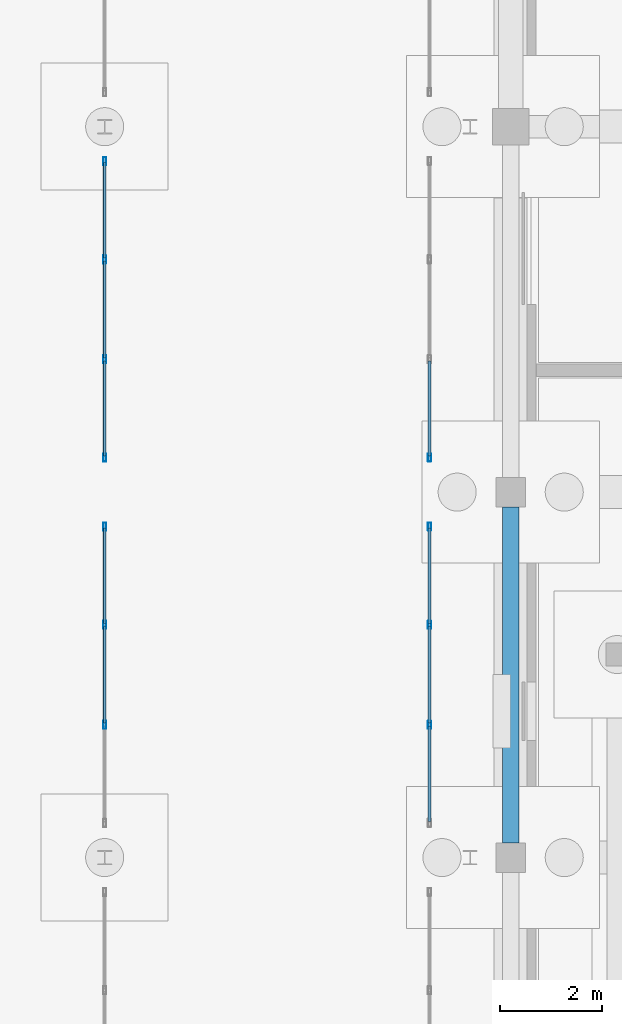
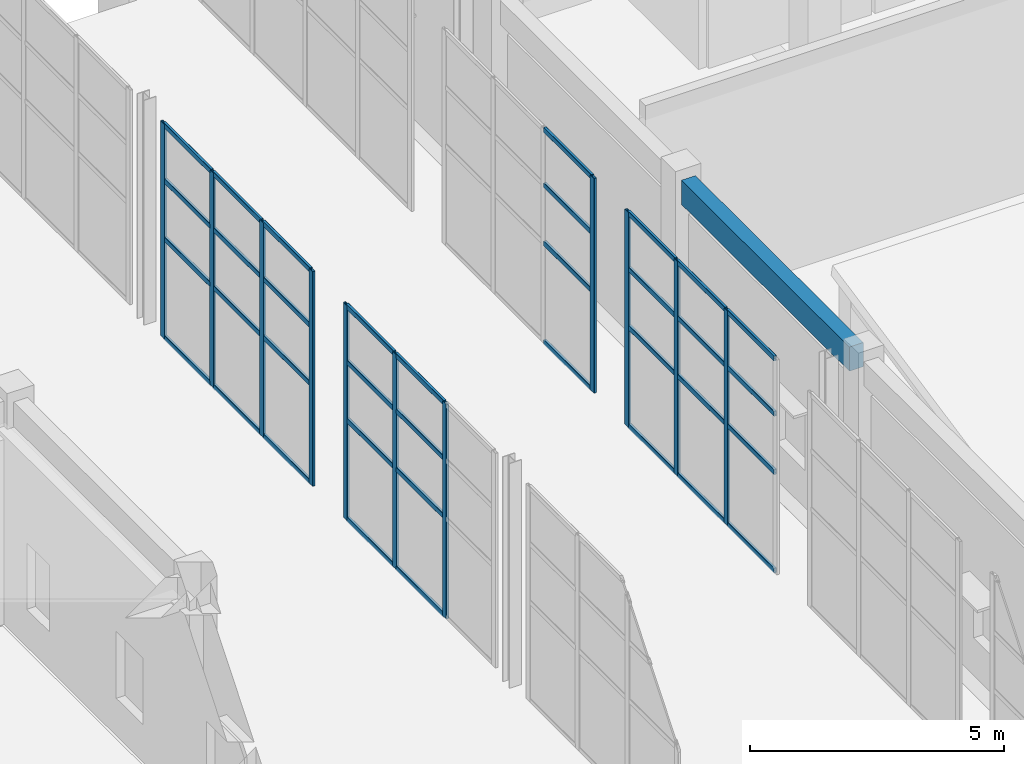
# One storey, part 27 of 91: 47 members, 1 beam, 4 elements without a shape of their own.
"""IFC4 building model written with IfcOpenShell, lengths in metres."""

from ifc_helpers import new_model, si_unit, direction, frame, origin, origin_2d, place, context, subcontext, project, spatial, rectangle, hollow_rectangle, extrude, material, material_profile, profile_set, type_object, element, aggregate, save


model = new_model("IFC4")

# Units and contexts
model_context = context("Model", 3, precision=1e-05, world=origin(), true_north=direction((0.0, 1.0)))
body_context = subcontext(model_context, "Body", "Model", "MODEL_VIEW")
ifc_project = project(units=[si_unit("LENGTHUNIT", "METRE"), si_unit("AREAUNIT", "SQUARE_METRE"), si_unit("VOLUMEUNIT", "CUBIC_METRE"), si_unit("PLANEANGLEUNIT", "RADIAN"), si_unit("MASSUNIT", "GRAM", prefix="KILO")], contexts=[model_context])

# Site, building, storey
site_placement = place(None, origin())
site = spatial("IfcSite", under=ifc_project, at=site_placement, CompositionType="ELEMENT")
building_placement = place(site_placement, origin())
building = spatial("IfcBuilding", under=site, at=building_placement, Name="Bramveld Media Centre", CompositionType="ELEMENT")
storey_placement = place(building_placement, origin())
storey = spatial("IfcBuildingStorey", under=building, at=storey_placement, Name="L00", CompositionType="ELEMENT", Elevation=0.0)

# Curtain wall, members
ifc_material_1 = material(Name="Thermally broken anodized bronze aluminium unitized curtain wall with solar-control triple glazing", Category="aluminium")
curtain_wall_type = type_object("IfcCurtainWallType", Name="CW-GAL-5900x5160", PredefinedType="NOTDEFINED", material=ifc_material_1)
curtain_wall_1_placement = place(storey_placement, origin())
curtain_wall_1 = element("IfcCurtainWall", 1, at=curtain_wall_1_placement, inside=storey, type_object=curtain_wall_type, Name="PASS-M colonnade glazed screen 3", PredefinedType="NOTDEFINED")
ifc_material_2 = material(Name="Thermally broken anodized bronze aluminium EN AW-6063 T6 curtain-wall framing", Category="aluminium")
ifc_material_profile_1 = material_profile(ifc_material_2, hollow_rectangle(XDim=0.06005859375, YDim=0.159912109375, WallThickness=0.00390625, InnerFilletRadius=0.00390625, OuterFilletRadius=0.008056640625, at=origin_2d()), Name="AL-MULL 60x160")
ifc_profile_set_1 = profile_set([ifc_material_profile_1], Name="Thermally broken anodized bronze aluminium EN AW-6063 T6 curtain-wall framing")
member_type_1 = type_object("IfcMemberType", Name="CW-MULL-EXT", PredefinedType="MULLION", material=ifc_profile_set_1)
member_1_placement = place(storey_placement, frame((116.0, 17.0166015625, 0.0), z_axis=(0.0, 0.0, 1.0), x_axis=(-1.0, 0.0, 0.0)))
member_1 = element("IfcMember", 2, at=member_1_placement, type_object=member_type_1, Name="CW-GA-5951 mullion 2", PredefinedType="MULLION", context=body_context, shape_type="SweptSolid", body=[
    extrude(hollow_rectangle(XDim=0.06005859375, YDim=0.159912109375, WallThickness=0.00390625, InnerFilletRadius=0.00390625, OuterFilletRadius=0.008056640625, at=origin_2d()), origin(), (0.0, 0.0, 1.0), 5.159912109375),
])
member_2_placement = place(storey_placement, frame((116.0, 18.9833984375, 0.0), z_axis=(0.0, 0.0, 1.0), x_axis=(-1.0, 0.0, 0.0)))
member_2 = element("IfcMember", 3, at=member_2_placement, type_object=member_type_1, Name="CW-GA-5951 mullion 3", PredefinedType="MULLION", context=body_context, shape_type="SweptSolid", body=[
    extrude(hollow_rectangle(XDim=0.06005859375, YDim=0.159912109375, WallThickness=0.00390625, InnerFilletRadius=0.00390625, OuterFilletRadius=0.008056640625, at=origin_2d()), origin(), (0.0, 0.0, 1.0), 5.159912109375),
])
member_3_placement = place(storey_placement, frame((116.0, 20.919921875, 0.0), z_axis=(0.0, 0.0, 1.0), x_axis=(-1.0, 0.0, 0.0)))
member_3 = element("IfcMember", 4, at=member_3_placement, type_object=member_type_1, Name="CW-GA-5951 mullion 4", PredefinedType="MULLION", context=body_context, shape_type="SweptSolid", body=[
    extrude(hollow_rectangle(XDim=0.06005859375, YDim=0.159912109375, WallThickness=0.00390625, InnerFilletRadius=0.00390625, OuterFilletRadius=0.008056640625, at=origin_2d()), origin(), (0.0, 0.0, 1.0), 5.159912109375),
])

curtain_wall_2_placement = place(storey_placement, origin())
curtain_wall_2 = element("IfcCurtainWall", 5, at=curtain_wall_2_placement, inside=storey, type_object=curtain_wall_type, Name="PASS-M colonnade glazed screen 4", PredefinedType="NOTDEFINED")
member_4_placement = place(storey_placement, frame((116.0, 22.280029296875, 0.0), z_axis=(0.0, 0.0, 1.0), x_axis=(-1.0, 0.0, 0.0)))
member_4 = element("IfcMember", 6, at=member_4_placement, type_object=member_type_1, Name="CW-GA-5951 mullion 1", PredefinedType="MULLION", context=body_context, shape_type="SweptSolid", body=[
    extrude(hollow_rectangle(XDim=0.06005859375, YDim=0.159912109375, WallThickness=0.00390625, InnerFilletRadius=0.00390625, OuterFilletRadius=0.008056640625, at=origin_2d()), origin(), (0.0, 0.0, 1.0), 5.159912109375),
])
member_5_placement = place(storey_placement, frame((116.0, 24.216552734375, 0.0), z_axis=(0.0, 0.0, 1.0), x_axis=(-1.0, 0.0, 0.0)))
member_5 = element("IfcMember", 7, at=member_5_placement, type_object=member_type_1, Name="CW-GA-5951 mullion 2", PredefinedType="MULLION", context=body_context, shape_type="SweptSolid", body=[
    extrude(hollow_rectangle(XDim=0.06005859375, YDim=0.159912109375, WallThickness=0.00390625, InnerFilletRadius=0.00390625, OuterFilletRadius=0.008056640625, at=origin_2d()), origin(), (0.0, 0.0, 1.0), 5.159912109375),
])
member_6_placement = place(storey_placement, frame((116.0, 26.183349609375, 0.0), z_axis=(0.0, 0.0, 1.0), x_axis=(-1.0, 0.0, 0.0)))
member_6 = element("IfcMember", 8, at=member_6_placement, type_object=member_type_1, Name="CW-GA-5951 mullion 3", PredefinedType="MULLION", context=body_context, shape_type="SweptSolid", body=[
    extrude(hollow_rectangle(XDim=0.06005859375, YDim=0.159912109375, WallThickness=0.00390625, InnerFilletRadius=0.00390625, OuterFilletRadius=0.008056640625, at=origin_2d()), origin(), (0.0, 0.0, 1.0), 5.159912109375),
])
member_7_placement = place(storey_placement, frame((116.0, 28.1201171875, 0.0), z_axis=(0.0, 0.0, 1.0), x_axis=(-1.0, 0.0, 0.0)))
member_7 = element("IfcMember", 9, at=member_7_placement, type_object=member_type_1, Name="CW-GA-5951 mullion 4", PredefinedType="MULLION", context=body_context, shape_type="SweptSolid", body=[
    extrude(hollow_rectangle(XDim=0.06005859375, YDim=0.159912109375, WallThickness=0.00390625, InnerFilletRadius=0.00390625, OuterFilletRadius=0.008056640625, at=origin_2d()), origin(), (0.0, 0.0, 1.0), 5.159912109375),
])

curtain_wall_3_placement = place(storey_placement, origin())
curtain_wall_3 = element("IfcCurtainWall", 10, at=curtain_wall_3_placement, inside=storey, type_object=curtain_wall_type, Name="PASS-E colonnade glazed screen 3", PredefinedType="NOTDEFINED")
member_8_placement = place(storey_placement, frame((122.39990234375, 17.0166015625, 0.0), z_axis=(0.0, 0.0, 1.0), x_axis=(-1.0, 0.0, 0.0)))
member_8 = element("IfcMember", 11, at=member_8_placement, type_object=member_type_1, Name="CW-GA-5951 mullion 2", PredefinedType="MULLION", context=body_context, shape_type="SweptSolid", body=[
    extrude(hollow_rectangle(XDim=0.06005859375, YDim=0.159912109375, WallThickness=0.00390625, InnerFilletRadius=0.00390625, OuterFilletRadius=0.008056640625, at=origin_2d()), origin(), (0.0, 0.0, 1.0), 5.159912109375),
])
member_9_placement = place(storey_placement, frame((122.39990234375, 18.9833984375, 0.0), z_axis=(0.0, 0.0, 1.0), x_axis=(-1.0, 0.0, 0.0)))
member_9 = element("IfcMember", 12, at=member_9_placement, type_object=member_type_1, Name="CW-GA-5951 mullion 3", PredefinedType="MULLION", context=body_context, shape_type="SweptSolid", body=[
    extrude(hollow_rectangle(XDim=0.06005859375, YDim=0.159912109375, WallThickness=0.00390625, InnerFilletRadius=0.00390625, OuterFilletRadius=0.008056640625, at=origin_2d()), origin(), (0.0, 0.0, 1.0), 5.159912109375),
])
member_10_placement = place(storey_placement, frame((122.39990234375, 20.919921875, 0.0), z_axis=(0.0, 0.0, 1.0), x_axis=(-1.0, 0.0, 0.0)))
member_10 = element("IfcMember", 13, at=member_10_placement, type_object=member_type_1, Name="CW-GA-5951 mullion 4", PredefinedType="MULLION", context=body_context, shape_type="SweptSolid", body=[
    extrude(hollow_rectangle(XDim=0.06005859375, YDim=0.159912109375, WallThickness=0.00390625, InnerFilletRadius=0.00390625, OuterFilletRadius=0.008056640625, at=origin_2d()), origin(), (0.0, 0.0, 1.0), 5.159912109375),
])

# Curtain wall, member
curtain_wall_4_placement = place(storey_placement, origin())
curtain_wall_4 = element("IfcCurtainWall", 14, at=curtain_wall_4_placement, inside=storey, type_object=curtain_wall_type, Name="PASS-E colonnade glazed screen 4", PredefinedType="NOTDEFINED")
member_11_placement = place(storey_placement, frame((122.39990234375, 22.280029296875, 0.0), z_axis=(0.0, 0.0, 1.0), x_axis=(-1.0, 0.0, 0.0)))
member_11 = element("IfcMember", 15, at=member_11_placement, type_object=member_type_1, Name="CW-GA-5951 mullion 1", PredefinedType="MULLION", context=body_context, shape_type="SweptSolid", body=[
    extrude(hollow_rectangle(XDim=0.06005859375, YDim=0.159912109375, WallThickness=0.00390625, InnerFilletRadius=0.00390625, OuterFilletRadius=0.008056640625, at=origin_2d()), origin(), (0.0, 0.0, 1.0), 5.159912109375),
])

# Member
ifc_material_3 = material(Name="Thermally broken anodized bronze aluminium EN AW-6063 T6 curtain-wall framing", Category="aluminium")
ifc_material_profile_2 = material_profile(ifc_material_3, hollow_rectangle(XDim=0.06005859375, YDim=0.1201171875, WallThickness=0.00341796875, InnerFilletRadius=0.00341796875, OuterFilletRadius=0.007080078125, at=origin_2d()), Name="AL-TRAN 60x120")
ifc_profile_set_2 = profile_set([ifc_material_profile_2], Name="Thermally broken anodized bronze aluminium EN AW-6063 T6 curtain-wall framing")
member_type_2 = type_object("IfcMemberType", Name="CW-TRAN-EXT", PredefinedType="USERDEFINED", material=ifc_profile_set_2)
member_12_placement = place(storey_placement, frame((116.0, 17.046630859375, 0.030029296875), z_axis=(0.0, 1.0, 0.0), x_axis=(-1.0, 0.0, 0.0)))
member_12 = element("IfcMember", 16, at=member_12_placement, type_object=member_type_2, Name="CW-GA-5951 transom 2.1", ObjectType="TRANSOM", PredefinedType="USERDEFINED", context=body_context, shape_type="SweptSolid", body=[
    extrude(hollow_rectangle(XDim=0.06005859375, YDim=0.1201171875, WallThickness=0.00341796875, InnerFilletRadius=0.00341796875, OuterFilletRadius=0.007080078125, at=origin_2d()), origin(), (0.0, 0.0, 1.0), 1.90673828125),
])

member_13_placement = place(storey_placement, frame((116.0, 17.046630859375, 2.39990234375), z_axis=(0.0, 1.0, 0.0), x_axis=(-1.0, 0.0, 0.0)))
member_13 = element("IfcMember", 17, at=member_13_placement, type_object=member_type_2, Name="CW-GA-5951 transom 2.2", ObjectType="TRANSOM", PredefinedType="USERDEFINED", context=body_context, shape_type="SweptSolid", body=[
    extrude(hollow_rectangle(XDim=0.06005859375, YDim=0.1201171875, WallThickness=0.00341796875, InnerFilletRadius=0.00341796875, OuterFilletRadius=0.007080078125, at=origin_2d()), origin(), (0.0, 0.0, 1.0), 1.90673828125),
])

member_14_placement = place(storey_placement, frame((116.0, 17.046630859375, 3.800048828125), z_axis=(0.0, 1.0, 0.0), x_axis=(-1.0, 0.0, 0.0)))
member_14 = element("IfcMember", 18, at=member_14_placement, type_object=member_type_2, Name="CW-GA-5951 transom 2.3", ObjectType="TRANSOM", PredefinedType="USERDEFINED", context=body_context, shape_type="SweptSolid", body=[
    extrude(hollow_rectangle(XDim=0.06005859375, YDim=0.1201171875, WallThickness=0.00341796875, InnerFilletRadius=0.00341796875, OuterFilletRadius=0.007080078125, at=origin_2d()), origin(), (0.0, 0.0, 1.0), 1.90673828125),
])

member_15_placement = place(storey_placement, frame((116.0, 17.046630859375, 5.1298828125), z_axis=(0.0, 1.0, 0.0), x_axis=(-1.0, 0.0, 0.0)))
member_15 = element("IfcMember", 19, at=member_15_placement, type_object=member_type_2, Name="CW-GA-5951 transom 2.4", ObjectType="TRANSOM", PredefinedType="USERDEFINED", context=body_context, shape_type="SweptSolid", body=[
    extrude(hollow_rectangle(XDim=0.06005859375, YDim=0.1201171875, WallThickness=0.00341796875, InnerFilletRadius=0.00341796875, OuterFilletRadius=0.007080078125, at=origin_2d()), origin(), (0.0, 0.0, 1.0), 1.90673828125),
])

member_16_placement = place(storey_placement, frame((116.0, 19.013427734375, 0.030029296875), z_axis=(0.0, 1.0, 0.0), x_axis=(-1.0, 0.0, 0.0)))
member_16 = element("IfcMember", 20, at=member_16_placement, type_object=member_type_2, Name="CW-GA-5951 transom 3.1", ObjectType="TRANSOM", PredefinedType="USERDEFINED", context=body_context, shape_type="SweptSolid", body=[
    extrude(hollow_rectangle(XDim=0.06005859375, YDim=0.1201171875, WallThickness=0.00341796875, InnerFilletRadius=0.00341796875, OuterFilletRadius=0.007080078125, at=origin_2d()), origin(), (0.0, 0.0, 1.0), 1.87646484375),
])

member_17_placement = place(storey_placement, frame((116.0, 19.013427734375, 2.39990234375), z_axis=(0.0, 1.0, 0.0), x_axis=(-1.0, 0.0, 0.0)))
member_17 = element("IfcMember", 21, at=member_17_placement, type_object=member_type_2, Name="CW-GA-5951 transom 3.2", ObjectType="TRANSOM", PredefinedType="USERDEFINED", context=body_context, shape_type="SweptSolid", body=[
    extrude(hollow_rectangle(XDim=0.06005859375, YDim=0.1201171875, WallThickness=0.00341796875, InnerFilletRadius=0.00341796875, OuterFilletRadius=0.007080078125, at=origin_2d()), origin(), (0.0, 0.0, 1.0), 1.87646484375),
])

member_18_placement = place(storey_placement, frame((116.0, 19.013427734375, 3.800048828125), z_axis=(0.0, 1.0, 0.0), x_axis=(-1.0, 0.0, 0.0)))
member_18 = element("IfcMember", 22, at=member_18_placement, type_object=member_type_2, Name="CW-GA-5951 transom 3.3", ObjectType="TRANSOM", PredefinedType="USERDEFINED", context=body_context, shape_type="SweptSolid", body=[
    extrude(hollow_rectangle(XDim=0.06005859375, YDim=0.1201171875, WallThickness=0.00341796875, InnerFilletRadius=0.00341796875, OuterFilletRadius=0.007080078125, at=origin_2d()), origin(), (0.0, 0.0, 1.0), 1.87646484375),
])

member_19_placement = place(storey_placement, frame((116.0, 19.013427734375, 5.1298828125), z_axis=(0.0, 1.0, 0.0), x_axis=(-1.0, 0.0, 0.0)))
member_19 = element("IfcMember", 23, at=member_19_placement, type_object=member_type_2, Name="CW-GA-5951 transom 3.4", ObjectType="TRANSOM", PredefinedType="USERDEFINED", context=body_context, shape_type="SweptSolid", body=[
    extrude(hollow_rectangle(XDim=0.06005859375, YDim=0.1201171875, WallThickness=0.00341796875, InnerFilletRadius=0.00341796875, OuterFilletRadius=0.007080078125, at=origin_2d()), origin(), (0.0, 0.0, 1.0), 1.87646484375),
])

aggregate(curtain_wall_1, [member_1, member_2, member_3, member_12, member_13, member_14, member_15, member_16, member_17, member_18, member_19])

member_20_placement = place(storey_placement, frame((116.0, 22.31005859375, 0.030029296875), z_axis=(0.0, 1.0, 0.0), x_axis=(-1.0, 0.0, 0.0)))
member_20 = element("IfcMember", 24, at=member_20_placement, type_object=member_type_2, Name="CW-GA-5951 transom 1.1", ObjectType="TRANSOM", PredefinedType="USERDEFINED", context=body_context, shape_type="SweptSolid", body=[
    extrude(hollow_rectangle(XDim=0.06005859375, YDim=0.1201171875, WallThickness=0.00341796875, InnerFilletRadius=0.00341796875, OuterFilletRadius=0.007080078125, at=origin_2d()), origin(), (0.0, 0.0, 1.0), 1.876708984375),
])

member_21_placement = place(storey_placement, frame((116.0, 22.31005859375, 2.39990234375), z_axis=(0.0, 1.0, 0.0), x_axis=(-1.0, 0.0, 0.0)))
member_21 = element("IfcMember", 25, at=member_21_placement, type_object=member_type_2, Name="CW-GA-5951 transom 1.2", ObjectType="TRANSOM", PredefinedType="USERDEFINED", context=body_context, shape_type="SweptSolid", body=[
    extrude(hollow_rectangle(XDim=0.06005859375, YDim=0.1201171875, WallThickness=0.00341796875, InnerFilletRadius=0.00341796875, OuterFilletRadius=0.007080078125, at=origin_2d()), origin(), (0.0, 0.0, 1.0), 1.876708984375),
])

member_22_placement = place(storey_placement, frame((116.0, 22.31005859375, 3.800048828125), z_axis=(0.0, 1.0, 0.0), x_axis=(-1.0, 0.0, 0.0)))
member_22 = element("IfcMember", 26, at=member_22_placement, type_object=member_type_2, Name="CW-GA-5951 transom 1.3", ObjectType="TRANSOM", PredefinedType="USERDEFINED", context=body_context, shape_type="SweptSolid", body=[
    extrude(hollow_rectangle(XDim=0.06005859375, YDim=0.1201171875, WallThickness=0.00341796875, InnerFilletRadius=0.00341796875, OuterFilletRadius=0.007080078125, at=origin_2d()), origin(), (0.0, 0.0, 1.0), 1.876708984375),
])

member_23_placement = place(storey_placement, frame((116.0, 22.31005859375, 5.1298828125), z_axis=(0.0, 1.0, 0.0), x_axis=(-1.0, 0.0, 0.0)))
member_23 = element("IfcMember", 27, at=member_23_placement, type_object=member_type_2, Name="CW-GA-5951 transom 1.4", ObjectType="TRANSOM", PredefinedType="USERDEFINED", context=body_context, shape_type="SweptSolid", body=[
    extrude(hollow_rectangle(XDim=0.06005859375, YDim=0.1201171875, WallThickness=0.00341796875, InnerFilletRadius=0.00341796875, OuterFilletRadius=0.007080078125, at=origin_2d()), origin(), (0.0, 0.0, 1.0), 1.876708984375),
])

member_24_placement = place(storey_placement, frame((116.0, 24.24658203125, 0.030029296875), z_axis=(0.0, 1.0, 0.0), x_axis=(-1.0, 0.0, 0.0)))
member_24 = element("IfcMember", 28, at=member_24_placement, type_object=member_type_2, Name="CW-GA-5951 transom 2.1", ObjectType="TRANSOM", PredefinedType="USERDEFINED", context=body_context, shape_type="SweptSolid", body=[
    extrude(hollow_rectangle(XDim=0.06005859375, YDim=0.1201171875, WallThickness=0.00341796875, InnerFilletRadius=0.00341796875, OuterFilletRadius=0.007080078125, at=origin_2d()), origin(), (0.0, 0.0, 1.0), 1.90673828125),
])

member_25_placement = place(storey_placement, frame((116.0, 24.24658203125, 2.39990234375), z_axis=(0.0, 1.0, 0.0), x_axis=(-1.0, 0.0, 0.0)))
member_25 = element("IfcMember", 29, at=member_25_placement, type_object=member_type_2, Name="CW-GA-5951 transom 2.2", ObjectType="TRANSOM", PredefinedType="USERDEFINED", context=body_context, shape_type="SweptSolid", body=[
    extrude(hollow_rectangle(XDim=0.06005859375, YDim=0.1201171875, WallThickness=0.00341796875, InnerFilletRadius=0.00341796875, OuterFilletRadius=0.007080078125, at=origin_2d()), origin(), (0.0, 0.0, 1.0), 1.90673828125),
])

member_26_placement = place(storey_placement, frame((116.0, 24.24658203125, 3.800048828125), z_axis=(0.0, 1.0, 0.0), x_axis=(-1.0, 0.0, 0.0)))
member_26 = element("IfcMember", 30, at=member_26_placement, type_object=member_type_2, Name="CW-GA-5951 transom 2.3", ObjectType="TRANSOM", PredefinedType="USERDEFINED", context=body_context, shape_type="SweptSolid", body=[
    extrude(hollow_rectangle(XDim=0.06005859375, YDim=0.1201171875, WallThickness=0.00341796875, InnerFilletRadius=0.00341796875, OuterFilletRadius=0.007080078125, at=origin_2d()), origin(), (0.0, 0.0, 1.0), 1.90673828125),
])

member_27_placement = place(storey_placement, frame((116.0, 24.24658203125, 5.1298828125), z_axis=(0.0, 1.0, 0.0), x_axis=(-1.0, 0.0, 0.0)))
member_27 = element("IfcMember", 31, at=member_27_placement, type_object=member_type_2, Name="CW-GA-5951 transom 2.4", ObjectType="TRANSOM", PredefinedType="USERDEFINED", context=body_context, shape_type="SweptSolid", body=[
    extrude(hollow_rectangle(XDim=0.06005859375, YDim=0.1201171875, WallThickness=0.00341796875, InnerFilletRadius=0.00341796875, OuterFilletRadius=0.007080078125, at=origin_2d()), origin(), (0.0, 0.0, 1.0), 1.90673828125),
])

member_28_placement = place(storey_placement, frame((116.0, 26.21337890625, 0.030029296875), z_axis=(0.0, 1.0, 0.0), x_axis=(-1.0, 0.0, 0.0)))
member_28 = element("IfcMember", 32, at=member_28_placement, type_object=member_type_2, Name="CW-GA-5951 transom 3.1", ObjectType="TRANSOM", PredefinedType="USERDEFINED", context=body_context, shape_type="SweptSolid", body=[
    extrude(hollow_rectangle(XDim=0.06005859375, YDim=0.1201171875, WallThickness=0.00341796875, InnerFilletRadius=0.00341796875, OuterFilletRadius=0.007080078125, at=origin_2d()), origin(), (0.0, 0.0, 1.0), 1.876708984375),
])

member_29_placement = place(storey_placement, frame((116.0, 26.21337890625, 2.39990234375), z_axis=(0.0, 1.0, 0.0), x_axis=(-1.0, 0.0, 0.0)))
member_29 = element("IfcMember", 33, at=member_29_placement, type_object=member_type_2, Name="CW-GA-5951 transom 3.2", ObjectType="TRANSOM", PredefinedType="USERDEFINED", context=body_context, shape_type="SweptSolid", body=[
    extrude(hollow_rectangle(XDim=0.06005859375, YDim=0.1201171875, WallThickness=0.00341796875, InnerFilletRadius=0.00341796875, OuterFilletRadius=0.007080078125, at=origin_2d()), origin(), (0.0, 0.0, 1.0), 1.876708984375),
])

member_30_placement = place(storey_placement, frame((116.0, 26.21337890625, 3.800048828125), z_axis=(0.0, 1.0, 0.0), x_axis=(-1.0, 0.0, 0.0)))
member_30 = element("IfcMember", 34, at=member_30_placement, type_object=member_type_2, Name="CW-GA-5951 transom 3.3", ObjectType="TRANSOM", PredefinedType="USERDEFINED", context=body_context, shape_type="SweptSolid", body=[
    extrude(hollow_rectangle(XDim=0.06005859375, YDim=0.1201171875, WallThickness=0.00341796875, InnerFilletRadius=0.00341796875, OuterFilletRadius=0.007080078125, at=origin_2d()), origin(), (0.0, 0.0, 1.0), 1.876708984375),
])

member_31_placement = place(storey_placement, frame((116.0, 26.21337890625, 5.1298828125), z_axis=(0.0, 1.0, 0.0), x_axis=(-1.0, 0.0, 0.0)))
member_31 = element("IfcMember", 35, at=member_31_placement, type_object=member_type_2, Name="CW-GA-5951 transom 3.4", ObjectType="TRANSOM", PredefinedType="USERDEFINED", context=body_context, shape_type="SweptSolid", body=[
    extrude(hollow_rectangle(XDim=0.06005859375, YDim=0.1201171875, WallThickness=0.00341796875, InnerFilletRadius=0.00341796875, OuterFilletRadius=0.007080078125, at=origin_2d()), origin(), (0.0, 0.0, 1.0), 1.876708984375),
])

aggregate(curtain_wall_2, [member_4, member_5, member_6, member_7, member_20, member_21, member_22, member_23, member_24, member_25, member_26, member_27, member_28, member_29, member_30, member_31])

member_32_placement = place(storey_placement, frame((122.39990234375, 15.110107421875, 0.030029296875), z_axis=(0.0, 1.0, 0.0), x_axis=(-1.0, 0.0, 0.0)))
member_32 = element("IfcMember", 36, at=member_32_placement, type_object=member_type_2, Name="CW-GA-5951 transom 1.1", ObjectType="TRANSOM", PredefinedType="USERDEFINED", context=body_context, shape_type="SweptSolid", body=[
    extrude(hollow_rectangle(XDim=0.06005859375, YDim=0.1201171875, WallThickness=0.00341796875, InnerFilletRadius=0.00341796875, OuterFilletRadius=0.007080078125, at=origin_2d()), origin(), (0.0, 0.0, 1.0), 1.87646484375),
])

member_33_placement = place(storey_placement, frame((122.39990234375, 15.110107421875, 2.39990234375), z_axis=(0.0, 1.0, 0.0), x_axis=(-1.0, 0.0, 0.0)))
member_33 = element("IfcMember", 37, at=member_33_placement, type_object=member_type_2, Name="CW-GA-5951 transom 1.2", ObjectType="TRANSOM", PredefinedType="USERDEFINED", context=body_context, shape_type="SweptSolid", body=[
    extrude(hollow_rectangle(XDim=0.06005859375, YDim=0.1201171875, WallThickness=0.00341796875, InnerFilletRadius=0.00341796875, OuterFilletRadius=0.007080078125, at=origin_2d()), origin(), (0.0, 0.0, 1.0), 1.87646484375),
])

member_34_placement = place(storey_placement, frame((122.39990234375, 15.110107421875, 3.800048828125), z_axis=(0.0, 1.0, 0.0), x_axis=(-1.0, 0.0, 0.0)))
member_34 = element("IfcMember", 38, at=member_34_placement, type_object=member_type_2, Name="CW-GA-5951 transom 1.3", ObjectType="TRANSOM", PredefinedType="USERDEFINED", context=body_context, shape_type="SweptSolid", body=[
    extrude(hollow_rectangle(XDim=0.06005859375, YDim=0.1201171875, WallThickness=0.00341796875, InnerFilletRadius=0.00341796875, OuterFilletRadius=0.007080078125, at=origin_2d()), origin(), (0.0, 0.0, 1.0), 1.87646484375),
])

member_35_placement = place(storey_placement, frame((122.39990234375, 15.110107421875, 5.1298828125), z_axis=(0.0, 1.0, 0.0), x_axis=(-1.0, 0.0, 0.0)))
member_35 = element("IfcMember", 39, at=member_35_placement, type_object=member_type_2, Name="CW-GA-5951 transom 1.4", ObjectType="TRANSOM", PredefinedType="USERDEFINED", context=body_context, shape_type="SweptSolid", body=[
    extrude(hollow_rectangle(XDim=0.06005859375, YDim=0.1201171875, WallThickness=0.00341796875, InnerFilletRadius=0.00341796875, OuterFilletRadius=0.007080078125, at=origin_2d()), origin(), (0.0, 0.0, 1.0), 1.87646484375),
])

member_36_placement = place(storey_placement, frame((122.39990234375, 17.046630859375, 0.030029296875), z_axis=(0.0, 1.0, 0.0), x_axis=(-1.0, 0.0, 0.0)))
member_36 = element("IfcMember", 40, at=member_36_placement, type_object=member_type_2, Name="CW-GA-5951 transom 2.1", ObjectType="TRANSOM", PredefinedType="USERDEFINED", context=body_context, shape_type="SweptSolid", body=[
    extrude(hollow_rectangle(XDim=0.06005859375, YDim=0.1201171875, WallThickness=0.00341796875, InnerFilletRadius=0.00341796875, OuterFilletRadius=0.007080078125, at=origin_2d()), origin(), (0.0, 0.0, 1.0), 1.90673828125),
])

member_37_placement = place(storey_placement, frame((122.39990234375, 17.046630859375, 2.39990234375), z_axis=(0.0, 1.0, 0.0), x_axis=(-1.0, 0.0, 0.0)))
member_37 = element("IfcMember", 41, at=member_37_placement, type_object=member_type_2, Name="CW-GA-5951 transom 2.2", ObjectType="TRANSOM", PredefinedType="USERDEFINED", context=body_context, shape_type="SweptSolid", body=[
    extrude(hollow_rectangle(XDim=0.06005859375, YDim=0.1201171875, WallThickness=0.00341796875, InnerFilletRadius=0.00341796875, OuterFilletRadius=0.007080078125, at=origin_2d()), origin(), (0.0, 0.0, 1.0), 1.90673828125),
])

member_38_placement = place(storey_placement, frame((122.39990234375, 17.046630859375, 3.800048828125), z_axis=(0.0, 1.0, 0.0), x_axis=(-1.0, 0.0, 0.0)))
member_38 = element("IfcMember", 42, at=member_38_placement, type_object=member_type_2, Name="CW-GA-5951 transom 2.3", ObjectType="TRANSOM", PredefinedType="USERDEFINED", context=body_context, shape_type="SweptSolid", body=[
    extrude(hollow_rectangle(XDim=0.06005859375, YDim=0.1201171875, WallThickness=0.00341796875, InnerFilletRadius=0.00341796875, OuterFilletRadius=0.007080078125, at=origin_2d()), origin(), (0.0, 0.0, 1.0), 1.90673828125),
])

member_39_placement = place(storey_placement, frame((122.39990234375, 17.046630859375, 5.1298828125), z_axis=(0.0, 1.0, 0.0), x_axis=(-1.0, 0.0, 0.0)))
member_39 = element("IfcMember", 43, at=member_39_placement, type_object=member_type_2, Name="CW-GA-5951 transom 2.4", ObjectType="TRANSOM", PredefinedType="USERDEFINED", context=body_context, shape_type="SweptSolid", body=[
    extrude(hollow_rectangle(XDim=0.06005859375, YDim=0.1201171875, WallThickness=0.00341796875, InnerFilletRadius=0.00341796875, OuterFilletRadius=0.007080078125, at=origin_2d()), origin(), (0.0, 0.0, 1.0), 1.90673828125),
])

member_40_placement = place(storey_placement, frame((122.39990234375, 19.013427734375, 0.030029296875), z_axis=(0.0, 1.0, 0.0), x_axis=(-1.0, 0.0, 0.0)))
member_40 = element("IfcMember", 44, at=member_40_placement, type_object=member_type_2, Name="CW-GA-5951 transom 3.1", ObjectType="TRANSOM", PredefinedType="USERDEFINED", context=body_context, shape_type="SweptSolid", body=[
    extrude(hollow_rectangle(XDim=0.06005859375, YDim=0.1201171875, WallThickness=0.00341796875, InnerFilletRadius=0.00341796875, OuterFilletRadius=0.007080078125, at=origin_2d()), origin(), (0.0, 0.0, 1.0), 1.87646484375),
])

member_41_placement = place(storey_placement, frame((122.39990234375, 19.013427734375, 2.39990234375), z_axis=(0.0, 1.0, 0.0), x_axis=(-1.0, 0.0, 0.0)))
member_41 = element("IfcMember", 45, at=member_41_placement, type_object=member_type_2, Name="CW-GA-5951 transom 3.2", ObjectType="TRANSOM", PredefinedType="USERDEFINED", context=body_context, shape_type="SweptSolid", body=[
    extrude(hollow_rectangle(XDim=0.06005859375, YDim=0.1201171875, WallThickness=0.00341796875, InnerFilletRadius=0.00341796875, OuterFilletRadius=0.007080078125, at=origin_2d()), origin(), (0.0, 0.0, 1.0), 1.87646484375),
])

member_42_placement = place(storey_placement, frame((122.39990234375, 19.013427734375, 3.800048828125), z_axis=(0.0, 1.0, 0.0), x_axis=(-1.0, 0.0, 0.0)))
member_42 = element("IfcMember", 46, at=member_42_placement, type_object=member_type_2, Name="CW-GA-5951 transom 3.3", ObjectType="TRANSOM", PredefinedType="USERDEFINED", context=body_context, shape_type="SweptSolid", body=[
    extrude(hollow_rectangle(XDim=0.06005859375, YDim=0.1201171875, WallThickness=0.00341796875, InnerFilletRadius=0.00341796875, OuterFilletRadius=0.007080078125, at=origin_2d()), origin(), (0.0, 0.0, 1.0), 1.87646484375),
])

member_43_placement = place(storey_placement, frame((122.39990234375, 19.013427734375, 5.1298828125), z_axis=(0.0, 1.0, 0.0), x_axis=(-1.0, 0.0, 0.0)))
member_43 = element("IfcMember", 47, at=member_43_placement, type_object=member_type_2, Name="CW-GA-5951 transom 3.4", ObjectType="TRANSOM", PredefinedType="USERDEFINED", context=body_context, shape_type="SweptSolid", body=[
    extrude(hollow_rectangle(XDim=0.06005859375, YDim=0.1201171875, WallThickness=0.00341796875, InnerFilletRadius=0.00341796875, OuterFilletRadius=0.007080078125, at=origin_2d()), origin(), (0.0, 0.0, 1.0), 1.87646484375),
])

aggregate(curtain_wall_3, [member_8, member_9, member_10, member_32, member_33, member_34, member_35, member_36, member_37, member_38, member_39, member_40, member_41, member_42, member_43])

member_44_placement = place(storey_placement, frame((122.39990234375, 22.31005859375, 0.030029296875), z_axis=(0.0, 1.0, 0.0), x_axis=(-1.0, 0.0, 0.0)))
member_44 = element("IfcMember", 48, at=member_44_placement, type_object=member_type_2, Name="CW-GA-5951 transom 1.1", ObjectType="TRANSOM", PredefinedType="USERDEFINED", context=body_context, shape_type="SweptSolid", body=[
    extrude(hollow_rectangle(XDim=0.06005859375, YDim=0.1201171875, WallThickness=0.00341796875, InnerFilletRadius=0.00341796875, OuterFilletRadius=0.007080078125, at=origin_2d()), origin(), (0.0, 0.0, 1.0), 1.876708984375),
])

member_45_placement = place(storey_placement, frame((122.39990234375, 22.31005859375, 2.39990234375), z_axis=(0.0, 1.0, 0.0), x_axis=(-1.0, 0.0, 0.0)))
member_45 = element("IfcMember", 49, at=member_45_placement, type_object=member_type_2, Name="CW-GA-5951 transom 1.2", ObjectType="TRANSOM", PredefinedType="USERDEFINED", context=body_context, shape_type="SweptSolid", body=[
    extrude(hollow_rectangle(XDim=0.06005859375, YDim=0.1201171875, WallThickness=0.00341796875, InnerFilletRadius=0.00341796875, OuterFilletRadius=0.007080078125, at=origin_2d()), origin(), (0.0, 0.0, 1.0), 1.876708984375),
])

member_46_placement = place(storey_placement, frame((122.39990234375, 22.31005859375, 3.800048828125), z_axis=(0.0, 1.0, 0.0), x_axis=(-1.0, 0.0, 0.0)))
member_46 = element("IfcMember", 50, at=member_46_placement, type_object=member_type_2, Name="CW-GA-5951 transom 1.3", ObjectType="TRANSOM", PredefinedType="USERDEFINED", context=body_context, shape_type="SweptSolid", body=[
    extrude(hollow_rectangle(XDim=0.06005859375, YDim=0.1201171875, WallThickness=0.00341796875, InnerFilletRadius=0.00341796875, OuterFilletRadius=0.007080078125, at=origin_2d()), origin(), (0.0, 0.0, 1.0), 1.876708984375),
])

member_47_placement = place(storey_placement, frame((122.39990234375, 22.31005859375, 5.1298828125), z_axis=(0.0, 1.0, 0.0), x_axis=(-1.0, 0.0, 0.0)))
member_47 = element("IfcMember", 51, at=member_47_placement, type_object=member_type_2, Name="CW-GA-5951 transom 1.4", ObjectType="TRANSOM", PredefinedType="USERDEFINED", context=body_context, shape_type="SweptSolid", body=[
    extrude(hollow_rectangle(XDim=0.06005859375, YDim=0.1201171875, WallThickness=0.00341796875, InnerFilletRadius=0.00341796875, OuterFilletRadius=0.007080078125, at=origin_2d()), origin(), (0.0, 0.0, 1.0), 1.876708984375),
])

aggregate(curtain_wall_4, [member_11, member_44, member_45, member_46, member_47])

# Beam
ifc_material_4 = material(Name="Concrete C40/50", Category="concrete")
ifc_material_profile_3 = material_profile(ifc_material_4, rectangle(XDim=0.320068359375, YDim=0.580078125, at=origin_2d()), Name="RC 320x580")
ifc_profile_set_3 = profile_set([ifc_material_profile_3], Name="Concrete C40/50")
beam_type = type_object("IfcBeamType", Name="SPANDREL-EXT-RC-320x580", PredefinedType="SPANDREL", material=ifc_profile_set_3)
beam_placement = place(storey_placement, frame((124.0, 14.68994140625, 4.860107421875), z_axis=(0.0, 1.0, 0.0), x_axis=(-1.0, 0.0, 0.0)))
element("IfcBeam", 52, at=beam_placement, inside=storey, type_object=beam_type, Name="V1 L00 girder Y-19", PredefinedType="SPANDREL", context=body_context, shape_type="SweptSolid", body=[
    extrude(rectangle(XDim=0.320068359375, YDim=0.580078125, at=origin_2d()), origin(), (0.0, 0.0, 1.0), 6.6201171875),
])

save(model, "model.ifc")
